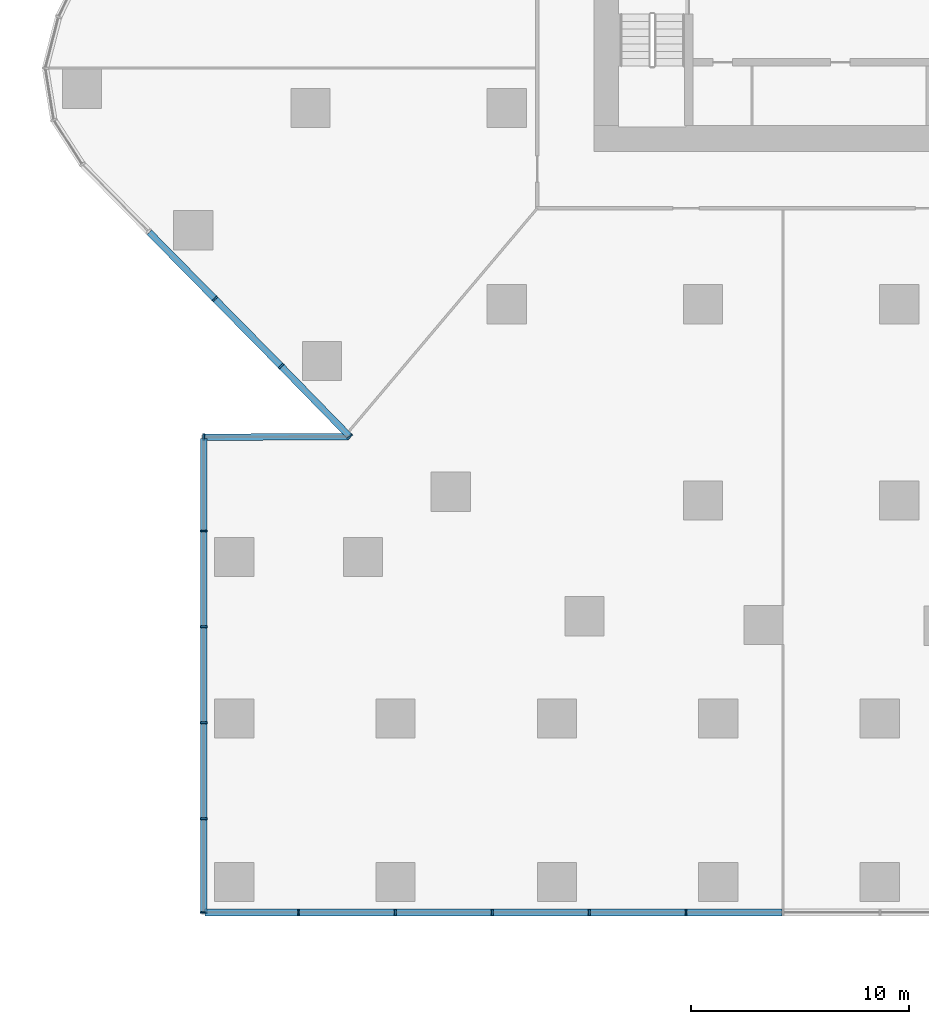
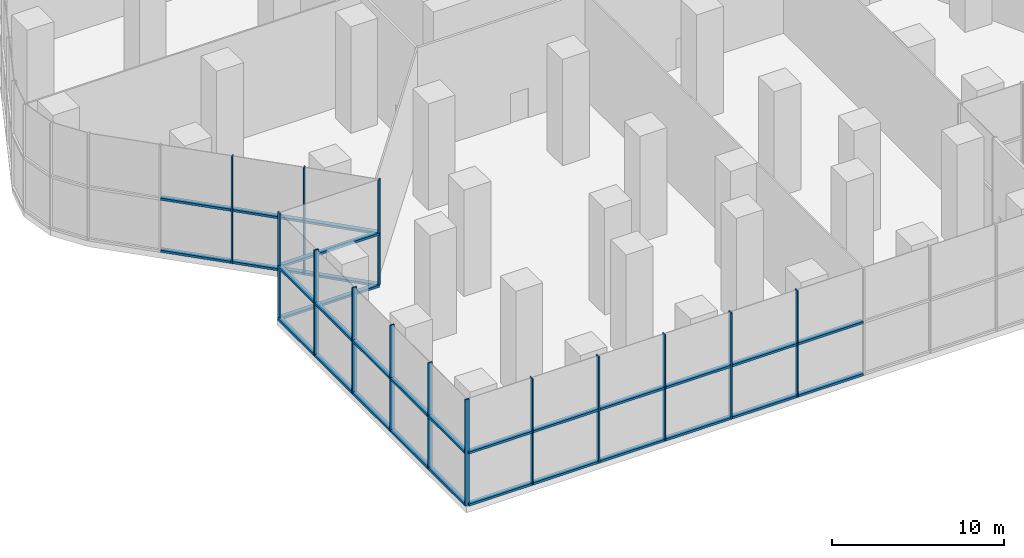
# One storey, part 2 of 22: 44 members, 4 elements without a shape of their own.
"""IFC4 building model written with IfcOpenShell, lengths in metres."""

from ifc_helpers import new_model, si_unit, direction, frame, origin, origin_2d, place, context, subcontext, project, spatial, rectangle, extrude, material, layer, layer_set, material_profile, profile_set, type_object, element, aggregate, save


model = new_model("IFC4")

# Units and contexts
model_context = context("Model", 3, precision=1e-05, world=origin(), true_north=direction((0.0, 1.0)))
body_context = subcontext(model_context, "Body", "Model", "MODEL_VIEW")
ifc_project = project(units=[si_unit("LENGTHUNIT", "METRE"), si_unit("AREAUNIT", "SQUARE_METRE"), si_unit("VOLUMEUNIT", "CUBIC_METRE"), si_unit("PLANEANGLEUNIT", "RADIAN"), si_unit("MASSUNIT", "GRAM", prefix="KILO")], contexts=[model_context])

# Site, building, storey
site_placement = place(None, origin())
site = spatial("IfcSite", under=ifc_project, at=site_placement, CompositionType="ELEMENT")
building_placement = place(site_placement, origin())
building = spatial("IfcBuilding", under=site, at=building_placement, Name="Dongbaek Canopy Tower", CompositionType="ELEMENT")
storey_placement = place(building_placement, frame((0.0, 0.0, 19.0)))
storey = spatial("IfcBuildingStorey", under=building, at=storey_placement, Name="L02", CompositionType="ELEMENT", Elevation=19.0)

# Curtain wall, members
ifc_material_1 = material(Name="Aluminium 6063-T6 pale anodised", Category="aluminium")
ifc_layer = layer(ifc_material_1, 0.300048828125)
ifc_layer_set = layer_set([ifc_layer], Name="CW-2 podium hall curtain wall")
curtain_wall_type = type_object("IfcCurtainWallType", Name="CW-2 podium hall curtain wall", PredefinedType="NOTDEFINED", material=ifc_layer_set)
curtain_wall_1_placement = place(storey_placement, origin())
curtain_wall_1 = element("IfcCurtainWall", 1, at=curtain_wall_1_placement, inside=storey, type_object=curtain_wall_type, Name="CW-2 curtain wall F4.1", PredefinedType="NOTDEFINED")
ifc_material_2 = material(Name="Aluminium 6063-T6 pale anodised", Category="aluminium")
ifc_material_profile_1 = material_profile(ifc_material_2, rectangle(XDim=0.300048828125, YDim=0.080078125, at=origin_2d()), Name="CW-2 mullion 80 x 300")
ifc_profile_set_1 = profile_set([ifc_material_profile_1], Name="Aluminium 6063-T6 pale anodised")
member_type_1 = type_object("IfcMemberType", Name="CW-2 mullion 80 x 300", PredefinedType="MULLION", material=ifc_profile_set_1)
member_1_placement = place(storey_placement, frame((-31.392333984375, -17.75537109375, 0.0), z_axis=(0.0, 0.0, 1.0), x_axis=(-0.71245453488, -0.70171827376, 0.0)))
member_1 = element("IfcMember", 2, at=member_1_placement, type_object=member_type_1, Name="CW-2 mullion F4.1.3", PredefinedType="MULLION", context=body_context, shape_type="SweptSolid", body=[
    extrude(rectangle(XDim=0.300048828125, YDim=0.080078125, at=origin_2d()), origin(), (0.0, 0.0, 1.0), 7.550048828125),
])
member_2_placement = place(storey_placement, frame((-28.3515625, -20.842529296875, 0.0), z_axis=(0.0, 0.0, 1.0), x_axis=(-0.714220075218, -0.699921198533, 0.0)))
member_2 = element("IfcMember", 3, at=member_2_placement, type_object=member_type_1, Name="CW-2 mullion F4.1.4", PredefinedType="MULLION", context=body_context, shape_type="SweptSolid", body=[
    extrude(rectangle(XDim=0.300048828125, YDim=0.080078125, at=origin_2d()), origin(), (0.0, 0.0, 1.0), 7.550048828125),
])
member_3_placement = place(storey_placement, frame((-25.19775390625, -24.0771484375, 0.0), z_axis=(0.0, 0.0, 1.0), x_axis=(-0.71598108269, -0.698119681165, 0.0)))
member_3 = element("IfcMember", 4, at=member_3_placement, type_object=member_type_1, Name="CW-2 mullion F4.1.5", PredefinedType="MULLION", context=body_context, shape_type="SweptSolid", body=[
    extrude(rectangle(XDim=0.300048828125, YDim=0.080078125, at=origin_2d()), origin(), (0.0, 0.0, 1.0), 7.550048828125),
])

# Curtain wall, member
curtain_wall_2_placement = place(storey_placement, origin())
curtain_wall_2 = element("IfcCurtainWall", 5, at=curtain_wall_2_placement, inside=storey, type_object=curtain_wall_type, Name="CW-2 curtain wall F5.1", PredefinedType="NOTDEFINED")
member_4_placement = place(storey_placement, frame((-31.89990234375, -24.10009765625, 0.0), z_axis=(0.0, 0.0, 1.0), x_axis=(-0.003396170688, 0.999994232996, 0.0)))
member_4 = element("IfcMember", 6, at=member_4_placement, type_object=member_type_1, Name="CW-2 mullion F5.1.2", PredefinedType="MULLION", context=body_context, shape_type="SweptSolid", body=[
    extrude(rectangle(XDim=0.300048828125, YDim=0.080078125, at=origin_2d()), origin(), (0.0, 0.0, 1.0), 7.550048828125),
])

# Curtain wall, members
curtain_wall_3_placement = place(storey_placement, origin())
curtain_wall_3 = element("IfcCurtainWall", 7, at=curtain_wall_3_placement, inside=storey, type_object=curtain_wall_type, Name="CW-2 curtain wall F6.1", PredefinedType="NOTDEFINED")
member_5_placement = place(storey_placement, frame((-31.89990234375, -28.39990234375, 0.0), z_axis=(0.0, 0.0, 1.0), x_axis=(-1.0, 0.0, 0.0)))
member_5 = element("IfcMember", 8, at=member_5_placement, type_object=member_type_1, Name="CW-2 mullion F6.1.2", PredefinedType="MULLION", context=body_context, shape_type="SweptSolid", body=[
    extrude(rectangle(XDim=0.300048828125, YDim=0.080078125, at=origin_2d()), origin(), (0.0, 0.0, 1.0), 7.550048828125),
])
member_6_placement = place(storey_placement, frame((-31.89990234375, -32.800048828125, 0.0), z_axis=(0.0, 0.0, 1.0), x_axis=(-1.0, 0.0, 0.0)))
member_6 = element("IfcMember", 9, at=member_6_placement, type_object=member_type_1, Name="CW-2 mullion F6.1.3", PredefinedType="MULLION", context=body_context, shape_type="SweptSolid", body=[
    extrude(rectangle(XDim=0.300048828125, YDim=0.080078125, at=origin_2d()), origin(), (0.0, 0.0, 1.0), 7.550048828125),
])
member_7_placement = place(storey_placement, frame((-31.89990234375, -37.199951171875, 0.0), z_axis=(0.0, 0.0, 1.0), x_axis=(-1.0, 0.0, 0.0)))
member_7 = element("IfcMember", 10, at=member_7_placement, type_object=member_type_1, Name="CW-2 mullion F6.1.4", PredefinedType="MULLION", context=body_context, shape_type="SweptSolid", body=[
    extrude(rectangle(XDim=0.300048828125, YDim=0.080078125, at=origin_2d()), origin(), (0.0, 0.0, 1.0), 7.550048828125),
])
member_8_placement = place(storey_placement, frame((-31.89990234375, -41.60009765625, 0.0), z_axis=(0.0, 0.0, 1.0), x_axis=(-1.0, 0.0, 0.0)))
member_8 = element("IfcMember", 11, at=member_8_placement, type_object=member_type_1, Name="CW-2 mullion F6.1.5", PredefinedType="MULLION", context=body_context, shape_type="SweptSolid", body=[
    extrude(rectangle(XDim=0.300048828125, YDim=0.080078125, at=origin_2d()), origin(), (0.0, 0.0, 1.0), 7.550048828125),
])
member_9_placement = place(storey_placement, frame((-31.89990234375, -45.89990234375, 0.0), z_axis=(0.0, 0.0, 1.0), x_axis=(-1.0, 0.0, 0.0)))
member_9 = element("IfcMember", 12, at=member_9_placement, type_object=member_type_1, Name="CW-2 mullion F6.1.6", PredefinedType="MULLION", context=body_context, shape_type="SweptSolid", body=[
    extrude(rectangle(XDim=0.300048828125, YDim=0.080078125, at=origin_2d()), origin(), (0.0, 0.0, 1.0), 7.550048828125),
])

curtain_wall_4_placement = place(storey_placement, origin())
curtain_wall_4 = element("IfcCurtainWall", 13, at=curtain_wall_4_placement, inside=storey, type_object=curtain_wall_type, Name="CW-2 curtain wall F7.1", PredefinedType="NOTDEFINED")
member_10_placement = place(storey_placement, frame((-27.5556640625, -45.89990234375, 0.0), z_axis=(0.0, 0.0, 1.0), x_axis=(0.0, -1.0, 0.0)))
member_10 = element("IfcMember", 14, at=member_10_placement, type_object=member_type_1, Name="CW-2 mullion F7.1.2", PredefinedType="MULLION", context=body_context, shape_type="SweptSolid", body=[
    extrude(rectangle(XDim=0.300048828125, YDim=0.080078125, at=origin_2d()), origin(), (0.0, 0.0, 1.0), 7.550048828125),
])
member_11_placement = place(storey_placement, frame((-23.111083984375, -45.89990234375, 0.0), z_axis=(0.0, 0.0, 1.0), x_axis=(0.0, -1.0, 0.0)))
member_11 = element("IfcMember", 15, at=member_11_placement, type_object=member_type_1, Name="CW-2 mullion F7.1.3", PredefinedType="MULLION", context=body_context, shape_type="SweptSolid", body=[
    extrude(rectangle(XDim=0.300048828125, YDim=0.080078125, at=origin_2d()), origin(), (0.0, 0.0, 1.0), 7.550048828125),
])
member_12_placement = place(storey_placement, frame((-18.666748046875, -45.89990234375, 0.0), z_axis=(0.0, 0.0, 1.0), x_axis=(0.0, -1.0, 0.0)))
member_12 = element("IfcMember", 16, at=member_12_placement, type_object=member_type_1, Name="CW-2 mullion F7.1.4", PredefinedType="MULLION", context=body_context, shape_type="SweptSolid", body=[
    extrude(rectangle(XDim=0.300048828125, YDim=0.080078125, at=origin_2d()), origin(), (0.0, 0.0, 1.0), 7.550048828125),
])
member_13_placement = place(storey_placement, frame((-14.22216796875, -45.89990234375, 0.0), z_axis=(0.0, 0.0, 1.0), x_axis=(0.0, -1.0, 0.0)))
member_13 = element("IfcMember", 17, at=member_13_placement, type_object=member_type_1, Name="CW-2 mullion F7.1.5", PredefinedType="MULLION", context=body_context, shape_type="SweptSolid", body=[
    extrude(rectangle(XDim=0.300048828125, YDim=0.080078125, at=origin_2d()), origin(), (0.0, 0.0, 1.0), 7.550048828125),
])
member_14_placement = place(storey_placement, frame((-9.77783203125, -45.89990234375, 0.0), z_axis=(0.0, 0.0, 1.0), x_axis=(0.0, -1.0, 0.0)))
member_14 = element("IfcMember", 18, at=member_14_placement, type_object=member_type_1, Name="CW-2 mullion F7.1.6", PredefinedType="MULLION", context=body_context, shape_type="SweptSolid", body=[
    extrude(rectangle(XDim=0.300048828125, YDim=0.080078125, at=origin_2d()), origin(), (0.0, 0.0, 1.0), 7.550048828125),
])

# Member
ifc_material_3 = material(Name="Aluminium 6063-T6 pale anodised", Category="aluminium")
ifc_material_profile_2 = material_profile(ifc_material_3, rectangle(XDim=0.300048828125, YDim=0.159912109375, at=origin_2d()), Name="CW-2 transom 160 x 300")
ifc_profile_set_2 = profile_set([ifc_material_profile_2], Name="Aluminium 6063-T6 pale anodised")
member_type_2 = type_object("IfcMemberType", Name="CW-2 transom 160 x 300", PredefinedType="USERDEFINED", material=ifc_profile_set_2)
member_15_placement = place(storey_placement, frame((-34.396484375, -14.705322265625, 0.080078125), z_axis=(0.701746738889, -0.712426497584, 0.0), x_axis=(0.712426497584, 0.701746738889, 0.0)))
member_15 = element("IfcMember", 19, at=member_15_placement, type_object=member_type_2, Name="CW-2 transom F4.1.2.1", ObjectType="TRANSOM", PredefinedType="USERDEFINED", context=body_context, shape_type="SweptSolid", body=[
    extrude(rectangle(XDim=0.300048828125, YDim=0.159912109375, at=origin_2d()), origin(), (0.0, 0.0, 1.0), 4.22900390625),
])

member_16_placement = place(storey_placement, frame((-34.396484375, -14.705322265625, 3.77490234375), z_axis=(0.701746738889, -0.712426497584, 0.0), x_axis=(0.712426497584, 0.701746738889, 0.0)))
member_16 = element("IfcMember", 20, at=member_16_placement, type_object=member_type_2, Name="CW-2 transom F4.1.2.2", ObjectType="TRANSOM", PredefinedType="USERDEFINED", context=body_context, shape_type="SweptSolid", body=[
    extrude(rectangle(XDim=0.300048828125, YDim=0.159912109375, at=origin_2d()), origin(), (0.0, 0.0, 1.0), 4.22900390625),
])

member_17_placement = place(storey_placement, frame((-31.355712890625, -17.79248046875, 0.080078125), z_axis=(0.701717878579, -0.712454924105, 0.0), x_axis=(0.712454924105, 0.701717878579, 0.0)))
member_17 = element("IfcMember", 21, at=member_17_placement, type_object=member_type_2, Name="CW-2 transom F4.1.3.1", ObjectType="TRANSOM", PredefinedType="USERDEFINED", context=body_context, shape_type="SweptSolid", body=[
    extrude(rectangle(XDim=0.300048828125, YDim=0.159912109375, at=origin_2d()), origin(), (0.0, 0.0, 1.0), 4.229248046875),
])

member_18_placement = place(storey_placement, frame((-31.355712890625, -17.79248046875, 3.77490234375), z_axis=(0.701717878579, -0.712454924105, 0.0), x_axis=(0.712454924105, 0.701717878579, 0.0)))
member_18 = element("IfcMember", 22, at=member_18_placement, type_object=member_type_2, Name="CW-2 transom F4.1.3.2", ObjectType="TRANSOM", PredefinedType="USERDEFINED", context=body_context, shape_type="SweptSolid", body=[
    extrude(rectangle(XDim=0.300048828125, YDim=0.159912109375, at=origin_2d()), origin(), (0.0, 0.0, 1.0), 4.229248046875),
])

member_19_placement = place(storey_placement, frame((-28.315185546875, -20.8798828125, 0.080078125), z_axis=(0.698117150151, -0.715983550555, 0.0), x_axis=(0.715983550555, 0.698117150151, 0.0)))
member_19 = element("IfcMember", 23, at=member_19_placement, type_object=member_type_2, Name="CW-2 transom F4.1.4.1", ObjectType="TRANSOM", PredefinedType="USERDEFINED", context=body_context, shape_type="SweptSolid", body=[
    extrude(rectangle(XDim=0.300048828125, YDim=0.159912109375, at=origin_2d()), origin(), (0.0, 0.0, 1.0), 4.413818359375),
])

member_20_placement = place(storey_placement, frame((-28.315185546875, -20.8798828125, 3.77490234375), z_axis=(0.698117150151, -0.715983550555, 0.0), x_axis=(0.715983550555, 0.698117150151, 0.0)))
member_20 = element("IfcMember", 24, at=member_20_placement, type_object=member_type_2, Name="CW-2 transom F4.1.4.2", ObjectType="TRANSOM", PredefinedType="USERDEFINED", context=body_context, shape_type="SweptSolid", body=[
    extrude(rectangle(XDim=0.300048828125, YDim=0.159912109375, at=origin_2d()), origin(), (0.0, 0.0, 1.0), 4.413818359375),
])

aggregate(curtain_wall_1, [member_1, member_2, member_3, member_15, member_16, member_17, member_18, member_19, member_20])

member_21_placement = place(storey_placement, frame((-25.249755859375, -24.077392578125, 0.080078125), z_axis=(-0.999994206002, -0.003404109633, 0.0), x_axis=(0.003404109633, -0.999994206002, 0.0)))
member_21 = element("IfcMember", 25, at=member_21_placement, type_object=member_type_2, Name="CW-2 transom F5.1.1.1", ObjectType="TRANSOM", PredefinedType="USERDEFINED", context=body_context, shape_type="SweptSolid", body=[
    extrude(rectangle(XDim=0.300048828125, YDim=0.159912109375, at=origin_2d()), origin(), (0.0, 0.0, 1.0), 6.59814453125),
])

member_22_placement = place(storey_placement, frame((-25.249755859375, -24.077392578125, 3.77490234375), z_axis=(-0.999994206002, -0.003404109633, 0.0), x_axis=(0.003404109633, -0.999994206002, 0.0)))
member_22 = element("IfcMember", 26, at=member_22_placement, type_object=member_type_2, Name="CW-2 transom F5.1.1.2", ObjectType="TRANSOM", PredefinedType="USERDEFINED", context=body_context, shape_type="SweptSolid", body=[
    extrude(rectangle(XDim=0.300048828125, YDim=0.159912109375, at=origin_2d()), origin(), (0.0, 0.0, 1.0), 6.59814453125),
])

aggregate(curtain_wall_2, [member_4, member_21, member_22])

member_23_placement = place(storey_placement, frame((-31.89990234375, -24.152099609375, 0.080078125), z_axis=(0.0, -1.0, 0.0), x_axis=(1.0, 0.0, 0.0)))
member_23 = element("IfcMember", 27, at=member_23_placement, type_object=member_type_2, Name="CW-2 transom F6.1.1.1", ObjectType="TRANSOM", PredefinedType="USERDEFINED", context=body_context, shape_type="SweptSolid", body=[
    extrude(rectangle(XDim=0.300048828125, YDim=0.159912109375, at=origin_2d()), origin(), (0.0, 0.0, 1.0), 4.19580078125),
])

member_24_placement = place(storey_placement, frame((-31.89990234375, -24.152099609375, 3.77490234375), z_axis=(0.0, -1.0, 0.0), x_axis=(1.0, 0.0, 0.0)))
member_24 = element("IfcMember", 28, at=member_24_placement, type_object=member_type_2, Name="CW-2 transom F6.1.1.2", ObjectType="TRANSOM", PredefinedType="USERDEFINED", context=body_context, shape_type="SweptSolid", body=[
    extrude(rectangle(XDim=0.300048828125, YDim=0.159912109375, at=origin_2d()), origin(), (0.0, 0.0, 1.0), 4.19580078125),
])

member_25_placement = place(storey_placement, frame((-31.89990234375, -28.451904296875, 0.080078125), z_axis=(0.0, -1.0, 0.0), x_axis=(1.0, 0.0, 0.0)))
member_25 = element("IfcMember", 29, at=member_25_placement, type_object=member_type_2, Name="CW-2 transom F6.1.2.1", ObjectType="TRANSOM", PredefinedType="USERDEFINED", context=body_context, shape_type="SweptSolid", body=[
    extrude(rectangle(XDim=0.300048828125, YDim=0.159912109375, at=origin_2d()), origin(), (0.0, 0.0, 1.0), 4.296142578125),
])

member_26_placement = place(storey_placement, frame((-31.89990234375, -28.451904296875, 3.77490234375), z_axis=(0.0, -1.0, 0.0), x_axis=(1.0, 0.0, 0.0)))
member_26 = element("IfcMember", 30, at=member_26_placement, type_object=member_type_2, Name="CW-2 transom F6.1.2.2", ObjectType="TRANSOM", PredefinedType="USERDEFINED", context=body_context, shape_type="SweptSolid", body=[
    extrude(rectangle(XDim=0.300048828125, YDim=0.159912109375, at=origin_2d()), origin(), (0.0, 0.0, 1.0), 4.296142578125),
])

member_27_placement = place(storey_placement, frame((-31.89990234375, -32.85205078125, 0.080078125), z_axis=(0.0, -1.0, 0.0), x_axis=(1.0, 0.0, 0.0)))
member_27 = element("IfcMember", 31, at=member_27_placement, type_object=member_type_2, Name="CW-2 transom F6.1.3.1", ObjectType="TRANSOM", PredefinedType="USERDEFINED", context=body_context, shape_type="SweptSolid", body=[
    extrude(rectangle(XDim=0.300048828125, YDim=0.159912109375, at=origin_2d()), origin(), (0.0, 0.0, 1.0), 4.2958984375),
])

member_28_placement = place(storey_placement, frame((-31.89990234375, -32.85205078125, 3.77490234375), z_axis=(0.0, -1.0, 0.0), x_axis=(1.0, 0.0, 0.0)))
member_28 = element("IfcMember", 32, at=member_28_placement, type_object=member_type_2, Name="CW-2 transom F6.1.3.2", ObjectType="TRANSOM", PredefinedType="USERDEFINED", context=body_context, shape_type="SweptSolid", body=[
    extrude(rectangle(XDim=0.300048828125, YDim=0.159912109375, at=origin_2d()), origin(), (0.0, 0.0, 1.0), 4.2958984375),
])

member_29_placement = place(storey_placement, frame((-31.89990234375, -37.251953125, 0.080078125), z_axis=(0.0, -1.0, 0.0), x_axis=(1.0, 0.0, 0.0)))
member_29 = element("IfcMember", 33, at=member_29_placement, type_object=member_type_2, Name="CW-2 transom F6.1.4.1", ObjectType="TRANSOM", PredefinedType="USERDEFINED", context=body_context, shape_type="SweptSolid", body=[
    extrude(rectangle(XDim=0.300048828125, YDim=0.159912109375, at=origin_2d()), origin(), (0.0, 0.0, 1.0), 4.296142578125),
])

member_30_placement = place(storey_placement, frame((-31.89990234375, -37.251953125, 3.77490234375), z_axis=(0.0, -1.0, 0.0), x_axis=(1.0, 0.0, 0.0)))
member_30 = element("IfcMember", 34, at=member_30_placement, type_object=member_type_2, Name="CW-2 transom F6.1.4.2", ObjectType="TRANSOM", PredefinedType="USERDEFINED", context=body_context, shape_type="SweptSolid", body=[
    extrude(rectangle(XDim=0.300048828125, YDim=0.159912109375, at=origin_2d()), origin(), (0.0, 0.0, 1.0), 4.296142578125),
])

member_31_placement = place(storey_placement, frame((-31.89990234375, -41.652099609375, 0.080078125), z_axis=(0.0, -1.0, 0.0), x_axis=(1.0, 0.0, 0.0)))
member_31 = element("IfcMember", 35, at=member_31_placement, type_object=member_type_2, Name="CW-2 transom F6.1.5.1", ObjectType="TRANSOM", PredefinedType="USERDEFINED", context=body_context, shape_type="SweptSolid", body=[
    extrude(rectangle(XDim=0.300048828125, YDim=0.159912109375, at=origin_2d()), origin(), (0.0, 0.0, 1.0), 4.19580078125),
])

member_32_placement = place(storey_placement, frame((-31.89990234375, -41.652099609375, 3.77490234375), z_axis=(0.0, -1.0, 0.0), x_axis=(1.0, 0.0, 0.0)))
member_32 = element("IfcMember", 36, at=member_32_placement, type_object=member_type_2, Name="CW-2 transom F6.1.5.2", ObjectType="TRANSOM", PredefinedType="USERDEFINED", context=body_context, shape_type="SweptSolid", body=[
    extrude(rectangle(XDim=0.300048828125, YDim=0.159912109375, at=origin_2d()), origin(), (0.0, 0.0, 1.0), 4.19580078125),
])

aggregate(curtain_wall_3, [member_5, member_6, member_7, member_8, member_9, member_23, member_24, member_25, member_26, member_27, member_28, member_29, member_30, member_31, member_32])

member_33_placement = place(storey_placement, frame((-31.847900390625, -45.89990234375, 0.080078125), z_axis=(1.0, 0.0, 0.0), x_axis=(0.0, 1.0, 0.0)))
member_33 = element("IfcMember", 37, at=member_33_placement, type_object=member_type_2, Name="CW-2 transom F7.1.1.1", ObjectType="TRANSOM", PredefinedType="USERDEFINED", context=body_context, shape_type="SweptSolid", body=[
    extrude(rectangle(XDim=0.300048828125, YDim=0.159912109375, at=origin_2d()), origin(), (0.0, 0.0, 1.0), 4.240234375),
])

member_34_placement = place(storey_placement, frame((-31.847900390625, -45.89990234375, 3.77490234375), z_axis=(1.0, 0.0, 0.0), x_axis=(0.0, 1.0, 0.0)))
member_34 = element("IfcMember", 38, at=member_34_placement, type_object=member_type_2, Name="CW-2 transom F7.1.1.2", ObjectType="TRANSOM", PredefinedType="USERDEFINED", context=body_context, shape_type="SweptSolid", body=[
    extrude(rectangle(XDim=0.300048828125, YDim=0.159912109375, at=origin_2d()), origin(), (0.0, 0.0, 1.0), 4.240234375),
])

member_35_placement = place(storey_placement, frame((-27.503662109375, -45.89990234375, 0.080078125), z_axis=(1.0, 0.0, 0.0), x_axis=(0.0, 1.0, 0.0)))
member_35 = element("IfcMember", 39, at=member_35_placement, type_object=member_type_2, Name="CW-2 transom F7.1.2.1", ObjectType="TRANSOM", PredefinedType="USERDEFINED", context=body_context, shape_type="SweptSolid", body=[
    extrude(rectangle(XDim=0.300048828125, YDim=0.159912109375, at=origin_2d()), origin(), (0.0, 0.0, 1.0), 4.340576171875),
])

member_36_placement = place(storey_placement, frame((-27.503662109375, -45.89990234375, 3.77490234375), z_axis=(1.0, 0.0, 0.0), x_axis=(0.0, 1.0, 0.0)))
member_36 = element("IfcMember", 40, at=member_36_placement, type_object=member_type_2, Name="CW-2 transom F7.1.2.2", ObjectType="TRANSOM", PredefinedType="USERDEFINED", context=body_context, shape_type="SweptSolid", body=[
    extrude(rectangle(XDim=0.300048828125, YDim=0.159912109375, at=origin_2d()), origin(), (0.0, 0.0, 1.0), 4.340576171875),
])

member_37_placement = place(storey_placement, frame((-23.05908203125, -45.89990234375, 0.080078125), z_axis=(1.0, 0.0, 0.0), x_axis=(0.0, 1.0, 0.0)))
member_37 = element("IfcMember", 41, at=member_37_placement, type_object=member_type_2, Name="CW-2 transom F7.1.3.1", ObjectType="TRANSOM", PredefinedType="USERDEFINED", context=body_context, shape_type="SweptSolid", body=[
    extrude(rectangle(XDim=0.300048828125, YDim=0.159912109375, at=origin_2d()), origin(), (0.0, 0.0, 1.0), 4.34033203125),
])

member_38_placement = place(storey_placement, frame((-23.05908203125, -45.89990234375, 3.77490234375), z_axis=(1.0, 0.0, 0.0), x_axis=(0.0, 1.0, 0.0)))
member_38 = element("IfcMember", 42, at=member_38_placement, type_object=member_type_2, Name="CW-2 transom F7.1.3.2", ObjectType="TRANSOM", PredefinedType="USERDEFINED", context=body_context, shape_type="SweptSolid", body=[
    extrude(rectangle(XDim=0.300048828125, YDim=0.159912109375, at=origin_2d()), origin(), (0.0, 0.0, 1.0), 4.34033203125),
])

member_39_placement = place(storey_placement, frame((-18.61474609375, -45.89990234375, 0.080078125), z_axis=(1.0, 0.0, 0.0), x_axis=(0.0, 1.0, 0.0)))
member_39 = element("IfcMember", 43, at=member_39_placement, type_object=member_type_2, Name="CW-2 transom F7.1.4.1", ObjectType="TRANSOM", PredefinedType="USERDEFINED", context=body_context, shape_type="SweptSolid", body=[
    extrude(rectangle(XDim=0.300048828125, YDim=0.159912109375, at=origin_2d()), origin(), (0.0, 0.0, 1.0), 4.340576171875),
])

member_40_placement = place(storey_placement, frame((-18.61474609375, -45.89990234375, 3.77490234375), z_axis=(1.0, 0.0, 0.0), x_axis=(0.0, 1.0, 0.0)))
member_40 = element("IfcMember", 44, at=member_40_placement, type_object=member_type_2, Name="CW-2 transom F7.1.4.2", ObjectType="TRANSOM", PredefinedType="USERDEFINED", context=body_context, shape_type="SweptSolid", body=[
    extrude(rectangle(XDim=0.300048828125, YDim=0.159912109375, at=origin_2d()), origin(), (0.0, 0.0, 1.0), 4.340576171875),
])

member_41_placement = place(storey_placement, frame((-14.170166015625, -45.89990234375, 0.080078125), z_axis=(1.0, 0.0, 0.0), x_axis=(0.0, 1.0, 0.0)))
member_41 = element("IfcMember", 45, at=member_41_placement, type_object=member_type_2, Name="CW-2 transom F7.1.5.1", ObjectType="TRANSOM", PredefinedType="USERDEFINED", context=body_context, shape_type="SweptSolid", body=[
    extrude(rectangle(XDim=0.300048828125, YDim=0.159912109375, at=origin_2d()), origin(), (0.0, 0.0, 1.0), 4.34033203125),
])

member_42_placement = place(storey_placement, frame((-14.170166015625, -45.89990234375, 3.77490234375), z_axis=(1.0, 0.0, 0.0), x_axis=(0.0, 1.0, 0.0)))
member_42 = element("IfcMember", 46, at=member_42_placement, type_object=member_type_2, Name="CW-2 transom F7.1.5.2", ObjectType="TRANSOM", PredefinedType="USERDEFINED", context=body_context, shape_type="SweptSolid", body=[
    extrude(rectangle(XDim=0.300048828125, YDim=0.159912109375, at=origin_2d()), origin(), (0.0, 0.0, 1.0), 4.34033203125),
])

member_43_placement = place(storey_placement, frame((-9.725830078125, -45.89990234375, 0.080078125), z_axis=(1.0, 0.0, 0.0), x_axis=(0.0, 1.0, 0.0)))
member_43 = element("IfcMember", 47, at=member_43_placement, type_object=member_type_2, Name="CW-2 transom F7.1.6.1", ObjectType="TRANSOM", PredefinedType="USERDEFINED", context=body_context, shape_type="SweptSolid", body=[
    extrude(rectangle(XDim=0.300048828125, YDim=0.159912109375, at=origin_2d()), origin(), (0.0, 0.0, 1.0), 4.340576171875),
])

member_44_placement = place(storey_placement, frame((-9.725830078125, -45.89990234375, 3.77490234375), z_axis=(1.0, 0.0, 0.0), x_axis=(0.0, 1.0, 0.0)))
member_44 = element("IfcMember", 48, at=member_44_placement, type_object=member_type_2, Name="CW-2 transom F7.1.6.2", ObjectType="TRANSOM", PredefinedType="USERDEFINED", context=body_context, shape_type="SweptSolid", body=[
    extrude(rectangle(XDim=0.300048828125, YDim=0.159912109375, at=origin_2d()), origin(), (0.0, 0.0, 1.0), 4.340576171875),
])

aggregate(curtain_wall_4, [member_10, member_11, member_12, member_13, member_14, member_33, member_34, member_35, member_36, member_37, member_38, member_39, member_40, member_41, member_42, member_43, member_44])

save(model, "model.ifc")
